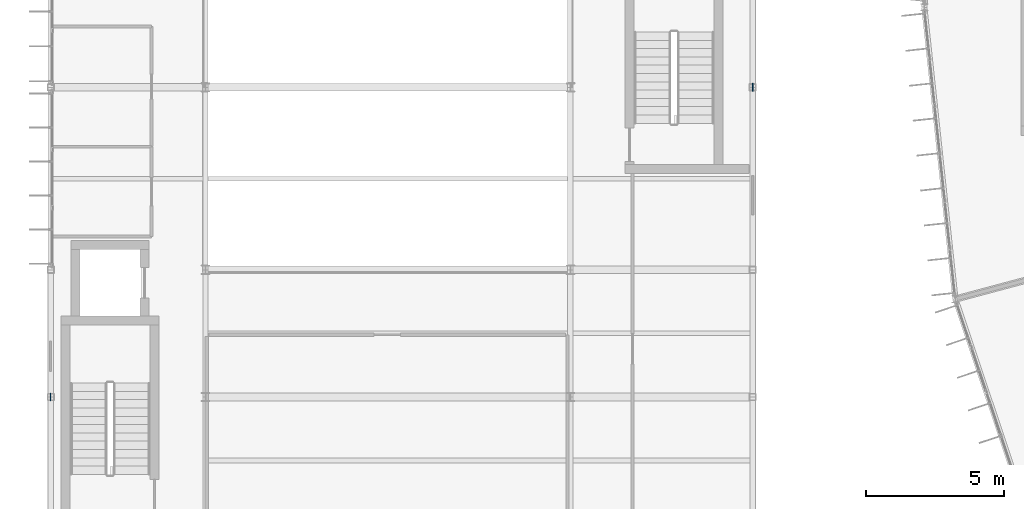
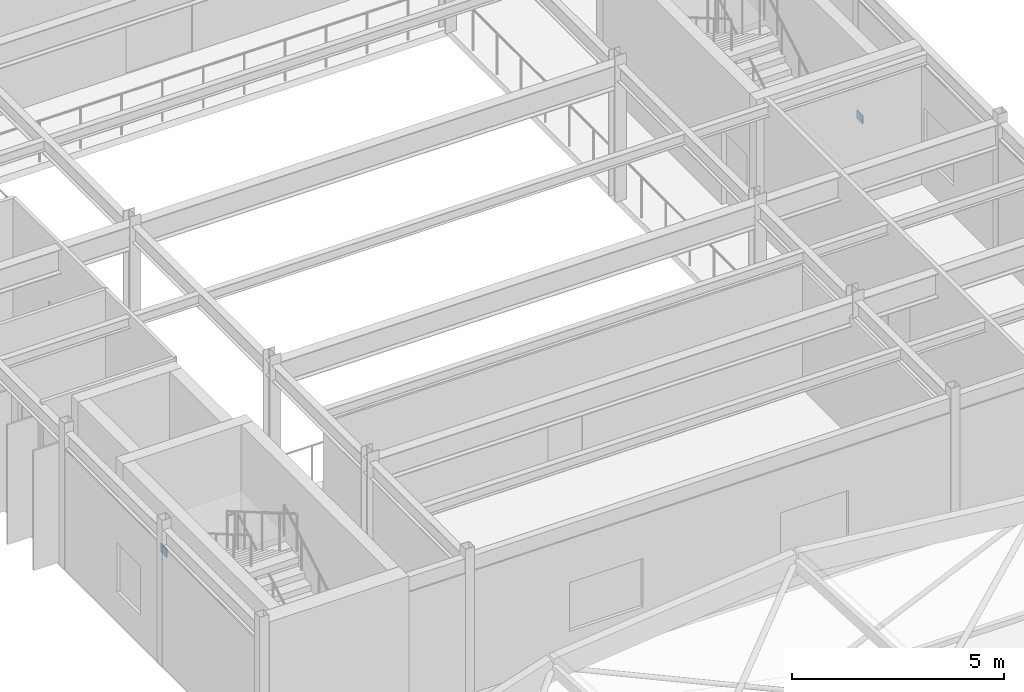
# One storey, part 127 of 157: 2 plates.
"""IFC4 building model written with IfcOpenShell, lengths in metres."""

from ifc_helpers import new_model, si_unit, direction, frame, origin, origin_2d, place, context, subcontext, project, spatial, rectangle, extrude, material, layer, layer_set, type_object, element, save


model = new_model("IFC4")

# Units and contexts
model_context = context("Model", 3, precision=1e-05, world=origin(), true_north=direction((0.0, 1.0)))
body_context = subcontext(model_context, "Body", "Model", "MODEL_VIEW")
ifc_project = project(units=[si_unit("LENGTHUNIT", "METRE"), si_unit("AREAUNIT", "SQUARE_METRE"), si_unit("VOLUMEUNIT", "CUBIC_METRE"), si_unit("PLANEANGLEUNIT", "RADIAN"), si_unit("MASSUNIT", "GRAM", prefix="KILO")], contexts=[model_context])

# Site, building, storey
site_placement = place(None, origin())
site = spatial("IfcSite", under=ifc_project, at=site_placement, CompositionType="ELEMENT")
building_placement = place(site_placement, origin())
building = spatial("IfcBuilding", under=site, at=building_placement, Name="Karori Crest Natural Sciences Institute", CompositionType="ELEMENT")
storey_placement = place(building_placement, frame((0.0, 0.0, 13.300048828125)))
storey = spatial("IfcBuildingStorey", under=building, at=storey_placement, Name="L03", CompositionType="ELEMENT", Elevation=13.300048828125)

# Plates
ifc_material = material(Name="Structural steel AS/NZS 3679.1 Grade 350", Category="steel")
ifc_layer = layer(ifc_material, 0.02490234375, Name="Structural steel AS/NZS 3679.1 Grade 350")
ifc_layer_set = layer_set([ifc_layer], Name="Structural steel AS/NZS 3679.1 Grade 350")
plate_type = type_object("IfcPlateType", Name="PLT-06-EL", PredefinedType="SHEET", material=ifc_layer_set)
for number, where, z_axis, x_axis, name in (
    (1, (1.800048828125, 35.800048828125, 3.10986328125), (0.0, 0.0, 1.0), (0.0, 1.0, 0.0), "Brace gusset plate EP-0254"),
    (2, (27.199951171875, 47.0, -0.10986328125), (0.0, 0.0, 1.0), (0.0, 1.0, 0.0), "Brace gusset plate EP-0255"),
):
    element("IfcPlate", number, at=place(storey_placement, frame(where, z_axis=z_axis, x_axis=x_axis)), inside=storey, type_object=plate_type, Name=name, PredefinedType="SHEET", context=body_context, shape_type="SweptSolid", body=[
        extrude(rectangle(XDim=0.280029296875, YDim=0.02490234375, at=origin_2d()), origin(), (0.0, 0.0, 1.0), 0.239990234375),
    ])

save(model, "model.ifc")
